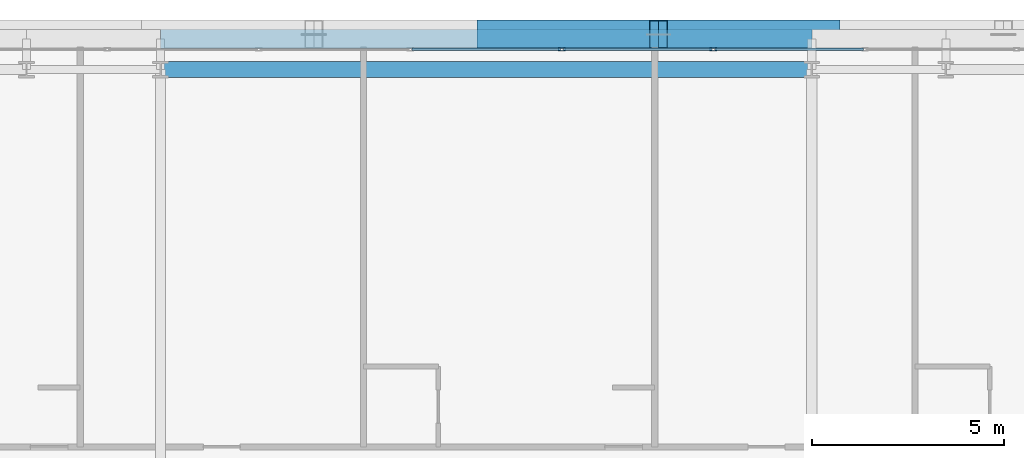
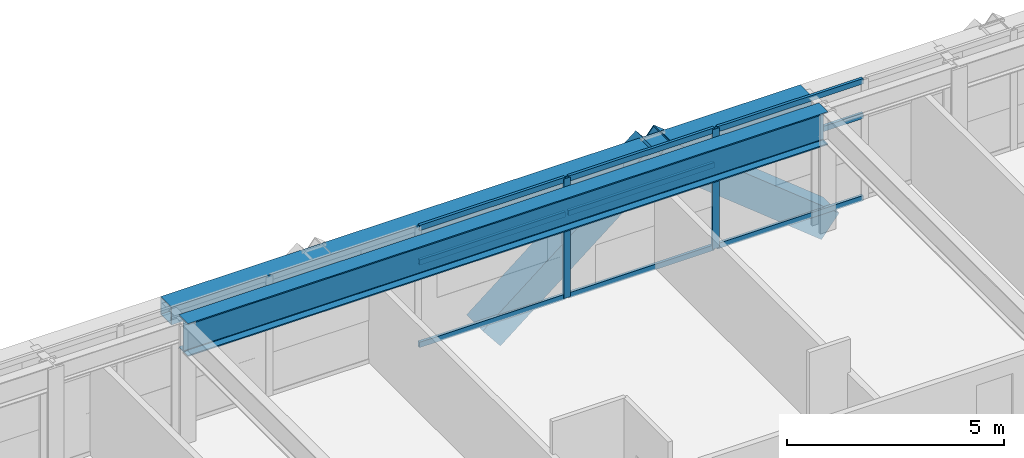
# One storey, part 19 of 34: 13 members, 2 beams, 1 element without a shape of its own.
"""IFC4 building model written with IfcOpenShell, lengths in metres."""

from ifc_helpers import new_model, si_unit, direction, frame, origin, origin_2d, place, context, subcontext, project, spatial, hollow_rectangle, i_section, extrude, source, transform, mapped, material, layer, layer_set, material_profile, profile_set, type_object, element, aggregate, save


model = new_model("IFC4")

# Units and contexts
model_context = context("Model", 3, precision=1e-05, world=origin(), true_north=direction((0.0, 1.0)))
body_context = subcontext(model_context, "Body", "Model", "MODEL_VIEW")
ifc_project = project(units=[si_unit("LENGTHUNIT", "METRE"), si_unit("AREAUNIT", "SQUARE_METRE"), si_unit("VOLUMEUNIT", "CUBIC_METRE"), si_unit("PLANEANGLEUNIT", "RADIAN"), si_unit("MASSUNIT", "GRAM", prefix="KILO")], contexts=[model_context])

# Site, building, storey
site_placement = place(None, origin())
site = spatial("IfcSite", under=ifc_project, at=site_placement, CompositionType="ELEMENT")
building_placement = place(site_placement, origin())
building = spatial("IfcBuilding", under=site, at=building_placement, Name="Ocotamira Hotel", CompositionType="ELEMENT")
storey_placement = place(building_placement, frame((0.0, 0.0, 111.60009765625)))
storey = spatial("IfcBuildingStorey", under=building, at=storey_placement, Name="L27", CompositionType="ELEMENT", Elevation=111.60009765625)

# Beams
ifc_material_1 = material(Name="Steel ASTM A992 Grade 50", Category="steel")
ifc_material_profile_1 = material_profile(ifc_material_1, i_section(OverallWidth=0.41796875, OverallDepth=0.927001953125, WebThickness=0.019287109375, FlangeThickness=0.031982421875, FilletRadius=0.02392578125, at=origin_2d()), Name="W36X231")
ifc_profile_set_1 = profile_set([ifc_material_profile_1], Name="Steel ASTM A992 Grade 50")
beam_type_1 = type_object("IfcBeamType", Name="BM-GIRD-W36X231", PredefinedType="BEAM", material=ifc_profile_set_1)
shared_shape_1 = source(origin(), body_context, "Body", "SweptSolid", [
    extrude(i_section(OverallWidth=0.41796875, OverallDepth=0.927001953125, WebThickness=0.019287109375, FlangeThickness=0.031982421875, FilletRadius=0.02392578125, at=origin_2d()), origin(), (0.0, 0.0, 1.0), 17.0),
])
beam_1_placement = place(storey_placement, frame((23.5, 49.050048828125, 2.896484375), z_axis=(1.0, 0.0, 0.0), x_axis=(0.0, 1.0, 0.0)))
element("IfcBeam", 1, at=beam_1_placement, inside=storey, type_object=beam_type_1, Name="L27 Girder Y49.05 X23.5-40.5", PredefinedType="BEAM", context=body_context, shape_type="MappedRepresentation", body=[
    mapped(shared_shape_1, transform((0.0, 0.0, 0.0), scale=1.0)),
])
ifc_material_2 = material(Name="Steel ASTM A500 Grade C", Category="steel")
ifc_material_profile_2 = material_profile(ifc_material_2, hollow_rectangle(XDim=0.5, YDim=0.5, WallThickness=0.02001953125, at=origin_2d()), Name="HSS500X500X20")
ifc_profile_set_2 = profile_set([ifc_material_profile_2], Name="Steel ASTM A500 Grade C")
beam_type_2 = type_object("IfcBeamType", Name="BM-SPAN-HSS500", PredefinedType="USERDEFINED", material=ifc_profile_set_2)
shared_shape_2 = source(origin(), body_context, "Body", "SweptSolid", [
    extrude(hollow_rectangle(XDim=0.5, YDim=0.5, WallThickness=0.02001953125, at=origin_2d()), origin(), (0.0, 0.0, 1.0), 17.0),
])
beam_2_placement = place(storey_placement, frame((23.5, 49.85009765625, 3.10986328125), z_axis=(1.0, 0.0, 0.0), x_axis=(0.0, 1.0, 0.0)))
element("IfcBeam", 2, at=beam_2_placement, inside=storey, type_object=beam_type_2, Name="L27 Edge Spandrel N X23.5-40.5", ObjectType="SPANDREL", PredefinedType="USERDEFINED", context=body_context, shape_type="MappedRepresentation", body=[
    mapped(shared_shape_2, transform((0.0, 0.0, 0.0), scale=1.0)),
])

# Members
ifc_material_3 = material(Name="Pale-metal coated steel ASTM A913 Grade 65", Category="steel")
ifc_material_profile_3 = material_profile(ifc_material_3, hollow_rectangle(XDim=0.75, YDim=0.75, WallThickness=0.028076171875, at=origin_2d()), Name="BOX750X750X28")
ifc_profile_set_3 = profile_set([ifc_material_profile_3], Name="Pale-metal coated steel ASTM A913 Grade 65")
member_type_1 = type_object("IfcMemberType", Name="MEM-EXO-BOX750", PredefinedType="BRACE", material=ifc_profile_set_3)
shared_shape_3 = source(origin(), body_context, "Body", "SweptSolid", [
    extrude(hollow_rectangle(XDim=0.75, YDim=0.75, WallThickness=0.028076171875, at=origin_2d()), origin(), (0.0, 0.0, 1.0), 5.7626953125),
])
for number, where, z_axis, x_axis, name in (
    (3, (32.0, 49.969970703125, -0.489990234375), (0.780881208953, 0.0, 0.624679547852), (0.0, 1.0, 0.0), "L27 Exoskeleton Diagrid N2.1"),
    (4, (41.0, 49.969970703125, -0.489990234375), (-0.780881208953, 0.0, 0.624679547852), (0.0, -1.0, 0.0), "L27 Exoskeleton Diagrid N2.2"),
):
    element("IfcMember", number, at=place(storey_placement, frame(where, z_axis=z_axis, x_axis=x_axis)), inside=storey, type_object=member_type_1, Name=name, PredefinedType="BRACE", context=body_context, shape_type="MappedRepresentation", body=[
        mapped(shared_shape_3, transform((0.0, 0.0, 0.0), scale=1.0)),
    ])

# Curtain wall, members
ifc_material_4 = material(Name="Anodised pale-metal aluminium and solar glass", Category="aluminium")
ifc_layer = layer(ifc_material_4, 0.179931640625)
ifc_layer_set = layer_set([ifc_layer], Name="Anodised pale-metal aluminium and solar glass")
curtain_wall_type = type_object("IfcCurtainWallType", Name="CW-SYS3-Z2", PredefinedType="NOTDEFINED", material=ifc_layer_set)
curtain_wall_placement = place(storey_placement, origin())
curtain_wall = element("IfcCurtainWall", 5, at=curtain_wall_placement, inside=storey, type_object=curtain_wall_type, Name="L27 Curtain Wall CW-3 CW-L27-N", PredefinedType="NOTDEFINED")
ifc_material_5 = material(Name="Anodised pale-metal aluminium 6063-T6", Category="aluminium")
ifc_material_profile_4 = material_profile(ifc_material_5, hollow_rectangle(XDim=0.074951171875, YDim=0.14990234375, WallThickness=0.006103515625, at=origin_2d()), Name="HSS150X75X6")
ifc_profile_set_4 = profile_set([ifc_material_profile_4], Name="Anodised pale-metal aluminium 6063-T6")
member_type_2 = type_object("IfcMemberType", Name="CWT-150X75", PredefinedType="USERDEFINED", material=ifc_profile_set_4)
shared_shape_4 = source(origin(), body_context, "Body", "SweptSolid", [
    extrude(hollow_rectangle(XDim=0.074951171875, YDim=0.14990234375, WallThickness=0.006103515625, at=origin_2d()), origin(), (0.0, 0.0, 1.0), 3.87548828125),
])
member_1_placement = place(storey_placement, frame((30.062255859375, 49.580078125, 0.037353515625), z_axis=(1.0, 0.0, 0.0), x_axis=(0.0, 1.0, 0.0)))
member_1 = element("IfcMember", 6, at=member_1_placement, type_object=member_type_2, Name="CW-3 transom 5.1", ObjectType="TRANSOM", PredefinedType="USERDEFINED", context=body_context, shape_type="MappedRepresentation", body=[
    mapped(shared_shape_4, transform((0.0, 0.0, 0.0), scale=1.0)),
])
member_2_placement = place(storey_placement, frame((30.062255859375, 49.580078125, 2.349853515625), z_axis=(1.0, 0.0, 0.0), x_axis=(0.0, 1.0, 0.0)))
member_2 = element("IfcMember", 7, at=member_2_placement, type_object=member_type_2, Name="CW-3 transom 5.2", ObjectType="TRANSOM", PredefinedType="USERDEFINED", context=body_context, shape_type="MappedRepresentation", body=[
    mapped(shared_shape_4, transform((0.0, 0.0, 0.0), scale=1.0)),
])
member_3_placement = place(storey_placement, frame((30.062255859375, 49.580078125, 3.322509765625), z_axis=(1.0, 0.0, 0.0), x_axis=(0.0, 1.0, 0.0)))
member_3 = element("IfcMember", 8, at=member_3_placement, type_object=member_type_2, Name="CW-3 transom 5.3", ObjectType="TRANSOM", PredefinedType="USERDEFINED", context=body_context, shape_type="MappedRepresentation", body=[
    mapped(shared_shape_4, transform((0.0, 0.0, 0.0), scale=1.0)),
])
member_4_placement = place(storey_placement, frame((34.017822265625, 49.580078125, 0.037353515625), z_axis=(1.0, 0.0, 0.0), x_axis=(0.0, 1.0, 0.0)))
member_4 = element("IfcMember", 9, at=member_4_placement, type_object=member_type_2, Name="CW-3 transom 6.1", ObjectType="TRANSOM", PredefinedType="USERDEFINED", context=body_context, shape_type="MappedRepresentation", body=[
    mapped(shared_shape_4, transform((0.0, 0.0, 0.0), scale=1.0)),
])
member_5_placement = place(storey_placement, frame((34.017822265625, 49.580078125, 2.349853515625), z_axis=(1.0, 0.0, 0.0), x_axis=(0.0, 1.0, 0.0)))
member_5 = element("IfcMember", 10, at=member_5_placement, type_object=member_type_2, Name="CW-3 transom 6.2", ObjectType="TRANSOM", PredefinedType="USERDEFINED", context=body_context, shape_type="MappedRepresentation", body=[
    mapped(shared_shape_4, transform((0.0, 0.0, 0.0), scale=1.0)),
])
member_6_placement = place(storey_placement, frame((34.017822265625, 49.580078125, 3.322509765625), z_axis=(1.0, 0.0, 0.0), x_axis=(0.0, 1.0, 0.0)))
member_6 = element("IfcMember", 11, at=member_6_placement, type_object=member_type_2, Name="CW-3 transom 6.3", ObjectType="TRANSOM", PredefinedType="USERDEFINED", context=body_context, shape_type="MappedRepresentation", body=[
    mapped(shared_shape_4, transform((0.0, 0.0, 0.0), scale=1.0)),
])
member_7_placement = place(storey_placement, frame((37.973388671875, 49.580078125, 0.037353515625), z_axis=(1.0, 0.0, 0.0), x_axis=(0.0, 1.0, 0.0)))
member_7 = element("IfcMember", 12, at=member_7_placement, type_object=member_type_2, Name="CW-3 transom 7.1", ObjectType="TRANSOM", PredefinedType="USERDEFINED", context=body_context, shape_type="MappedRepresentation", body=[
    mapped(shared_shape_4, transform((0.0, 0.0, 0.0), scale=1.0)),
])
member_8_placement = place(storey_placement, frame((37.973388671875, 49.580078125, 2.349853515625), z_axis=(1.0, 0.0, 0.0), x_axis=(0.0, 1.0, 0.0)))
member_8 = element("IfcMember", 13, at=member_8_placement, type_object=member_type_2, Name="CW-3 transom 7.2", ObjectType="TRANSOM", PredefinedType="USERDEFINED", context=body_context, shape_type="MappedRepresentation", body=[
    mapped(shared_shape_4, transform((0.0, 0.0, 0.0), scale=1.0)),
])
member_9_placement = place(storey_placement, frame((37.973388671875, 49.580078125, 3.322509765625), z_axis=(1.0, 0.0, 0.0), x_axis=(0.0, 1.0, 0.0)))
member_9 = element("IfcMember", 14, at=member_9_placement, type_object=member_type_2, Name="CW-3 transom 7.3", ObjectType="TRANSOM", PredefinedType="USERDEFINED", context=body_context, shape_type="MappedRepresentation", body=[
    mapped(shared_shape_4, transform((0.0, 0.0, 0.0), scale=1.0)),
])
ifc_material_profile_5 = material_profile(ifc_material_5, hollow_rectangle(XDim=0.080078125, YDim=0.179931640625, WallThickness=0.006103515625, at=origin_2d()), Name="HSS180X80X6")
ifc_profile_set_5 = profile_set([ifc_material_profile_5], Name="Anodised pale-metal aluminium 6063-T6")
member_type_3 = type_object("IfcMemberType", Name="CWM-180X75", PredefinedType="MULLION", material=ifc_profile_set_5)
shared_shape_5 = source(origin(), body_context, "Body", "SweptSolid", [
    extrude(hollow_rectangle(XDim=0.080078125, YDim=0.179931640625, WallThickness=0.006103515625, at=origin_2d()), origin(), (0.0, 0.0, 1.0), 3.35986328125),
])
member_10_placement = place(storey_placement, frame((33.977783203125, 49.580078125, 0.0), z_axis=(0.0, 0.0, 1.0), x_axis=(0.0, 1.0, 0.0)))
member_10 = element("IfcMember", 15, at=member_10_placement, type_object=member_type_3, Name="CW-3 mullion 6", PredefinedType="MULLION", context=body_context, shape_type="MappedRepresentation", body=[
    mapped(shared_shape_5, transform((0.0, 0.0, 0.0), scale=1.0)),
])
member_11_placement = place(storey_placement, frame((37.933349609375, 49.580078125, 0.0), z_axis=(0.0, 0.0, 1.0), x_axis=(0.0, 1.0, 0.0)))
member_11 = element("IfcMember", 16, at=member_11_placement, type_object=member_type_3, Name="CW-3 mullion 7", PredefinedType="MULLION", context=body_context, shape_type="MappedRepresentation", body=[
    mapped(shared_shape_5, transform((0.0, 0.0, 0.0), scale=1.0)),
])
aggregate(curtain_wall, [member_10, member_11, member_1, member_2, member_3, member_4, member_5, member_6, member_7, member_8, member_9])

save(model, "model.ifc")
